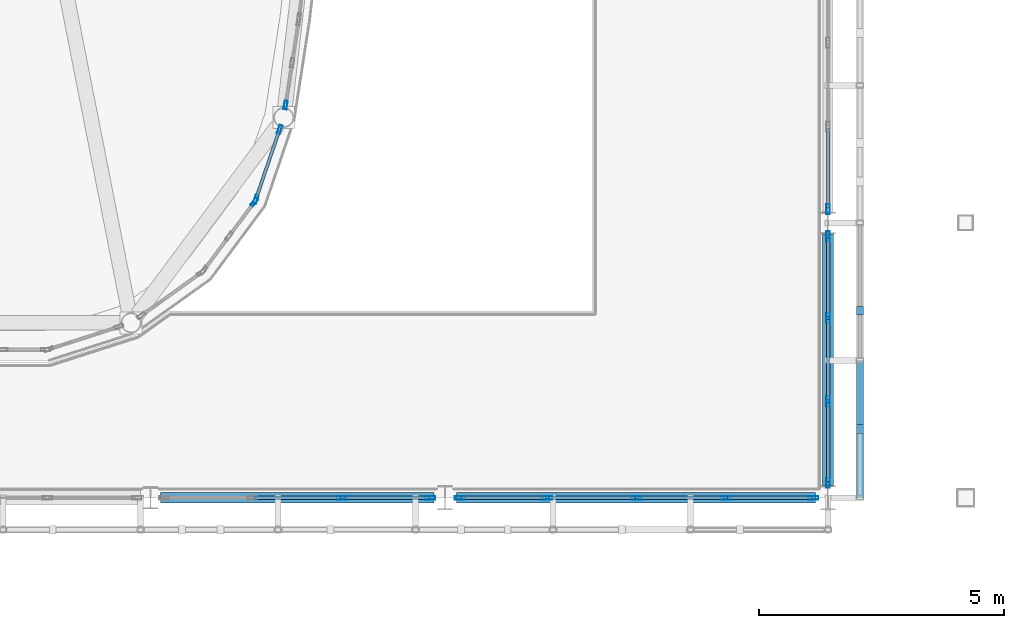
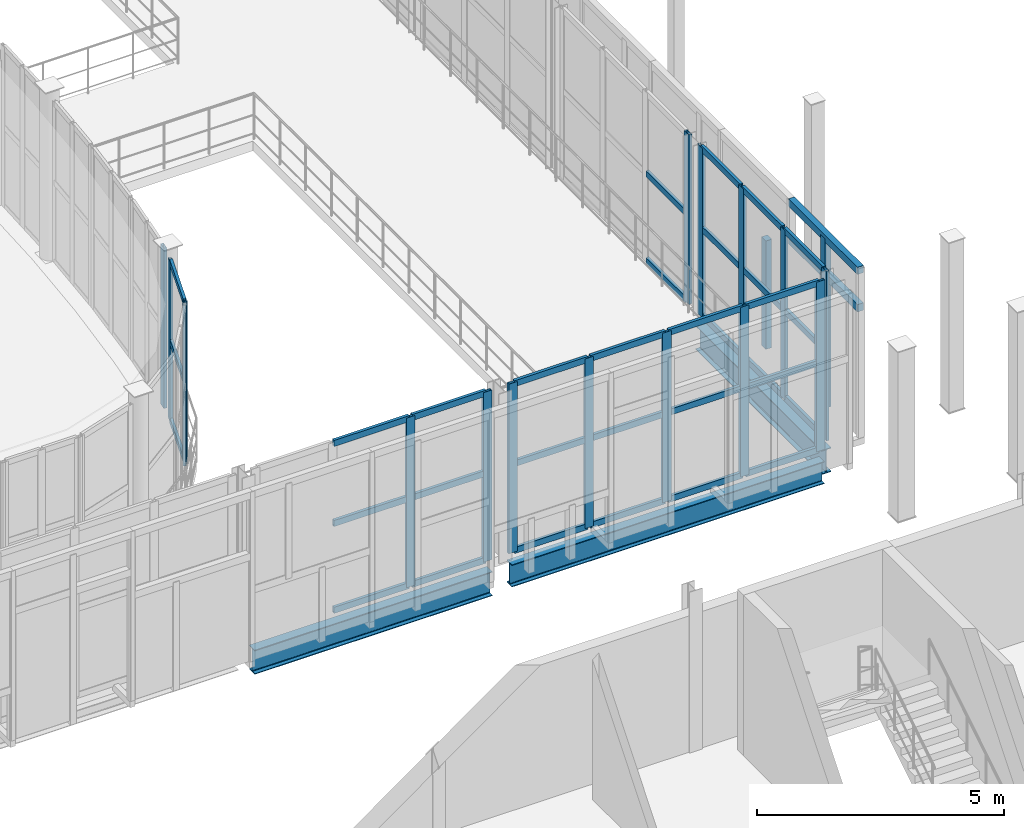
# One storey, part 35 of 121: 52 members, 3 beams, 7 elements without a shape of their own.
"""IFC4 building model written with IfcOpenShell, lengths in metres."""

from ifc_helpers import new_model, si_unit, direction, frame, origin, origin_2d, place, context, subcontext, project, spatial, rectangle, hollow_rectangle, i_section, extrude, material, layer, layer_set, material_profile, profile_set, type_object, element, aggregate, save


model = new_model("IFC4")

# Units and contexts
model_context = context("Model", 3, precision=1e-05, world=origin(), true_north=direction((0.0, 1.0)))
body_context = subcontext(model_context, "Body", "Model", "MODEL_VIEW")
ifc_project = project(units=[si_unit("LENGTHUNIT", "METRE"), si_unit("AREAUNIT", "SQUARE_METRE"), si_unit("VOLUMEUNIT", "CUBIC_METRE"), si_unit("PLANEANGLEUNIT", "RADIAN"), si_unit("MASSUNIT", "GRAM", prefix="KILO")], contexts=[model_context])

# Site, building, storey
site_placement = place(None, origin())
site = spatial("IfcSite", under=ifc_project, at=site_placement, CompositionType="ELEMENT")
building_placement = place(site_placement, origin())
building = spatial("IfcBuilding", under=site, at=building_placement, Name="Vinh Khe Railworks Police Headquarters", CompositionType="ELEMENT")
storey_placement = place(building_placement, frame((0.0, 0.0, 4.800048828125)))
storey = spatial("IfcBuildingStorey", under=building, at=storey_placement, Name="L01", CompositionType="ELEMENT", Elevation=4.800048828125)

# Members
ifc_material_1 = material(Name="Salvaged ironwood timber", Category="wood")
ifc_material_profile_1 = material_profile(ifc_material_1, rectangle(XDim=0.139892578125, YDim=0.179931640625, at=origin_2d()), Name="TIMBER 140x180")
ifc_profile_set_1 = profile_set([ifc_material_profile_1], Name="Salvaged ironwood timber")
member_type_1 = type_object("IfcMemberType", Name="MEM-QUILT-STILE", PredefinedType="CHORD", material=ifc_profile_set_1)
for number, where, z_axis, x_axis, name in (
    (1, (60.64990234375, 25.199951171875, 4.119873046875), (0.0, 1.0, 0.0), (-1.0, 0.0, 0.0), "Salvaged Timber Quilt Transom E-L01-00-TOP"),
    (2, (60.64990234375, 25.199951171875, 3.19189453125), (0.0, 1.0, 0.0), (-1.0, 0.0, 0.0), "Salvaged Timber Quilt Transom E-L01-00-M1"),
):
    element("IfcMember", number, at=place(storey_placement, frame(where, z_axis=z_axis, x_axis=x_axis)), inside=storey, type_object=member_type_1, Name=name, PredefinedType="CHORD", context=body_context, shape_type="SweptSolid", body=[
        extrude(rectangle(XDim=0.139892578125, YDim=0.179931640625, at=origin_2d()), origin(), (0.0, 0.0, 1.0), 2.800048828125),
    ])
member_1_placement = place(storey_placement, frame((60.64990234375, 26.60009765625, -0.080078125), z_axis=(0.0, 0.0, 1.0), x_axis=(1.0, 0.0, 0.0)))
element("IfcMember", 3, at=member_1_placement, inside=storey, type_object=member_type_1, Name="Salvaged Timber Quilt Stile E-L01-00-V1", PredefinedType="POST", context=body_context, shape_type="SweptSolid", body=[
    extrude(rectangle(XDim=0.139892578125, YDim=0.179931640625, at=origin_2d()), origin(), (0.0, 0.0, 1.0), 4.199951171875),
])
member_2_placement = place(storey_placement, frame((60.64990234375, 29.008056640625, -0.080078125), z_axis=(0.0, 0.0, 1.0), x_axis=(1.0, 0.0, 0.0)))
element("IfcMember", 4, at=member_2_placement, inside=storey, type_object=member_type_1, Name="Salvaged Timber Quilt Stile E-L01-01-V1", PredefinedType="POST", context=body_context, shape_type="SweptSolid", body=[
    extrude(rectangle(XDim=0.139892578125, YDim=0.179931640625, at=origin_2d()), origin(), (0.0, 0.0, 1.0), 2.68408203125),
])

# Curtain wall, member
ifc_material_2 = material(Name="Anodised aluminium and acoustic laminated glass", Category="aluminium")
ifc_layer_1 = layer(ifc_material_2, 0.159912109375)
ifc_layer_set_1 = layer_set([ifc_layer_1], Name="Anodised aluminium and acoustic laminated glass")
curtain_wall_type_1 = type_object("IfcCurtainWallType", Name="CW-DRUM-CHORD", PredefinedType="USERDEFINED", material=ifc_layer_set_1)
curtain_wall_1_placement = place(storey_placement, origin())
curtain_wall_1 = element("IfcCurtainWall", 5, at=curtain_wall_1_placement, inside=storey, type_object=curtain_wall_type_1, Name="Elliptical Command Drum Glazing L01 Chord 1", ObjectType="DRUM FACADE GLAZING", PredefinedType="USERDEFINED")
ifc_material_3 = material(Name="Anodised aluminium 6063-T6", Category="aluminium")
ifc_material_profile_2 = material_profile(ifc_material_3, hollow_rectangle(XDim=0.06494140625, YDim=0.179931640625, WallThickness=0.0048828125, at=origin_2d()), Name="CW-M 65x180x5")
ifc_profile_set_2 = profile_set([ifc_material_profile_2], Name="Anodised aluminium 6063-T6")
member_type_2 = type_object("IfcMemberType", Name="MULL-CWM-02", PredefinedType="MULLION", material=ifc_profile_set_2)
member_3_placement = place(storey_placement, frame((48.952392578125, 33.19677734375, 0.0), z_axis=(0.0, 0.0, 1.0), x_axis=(-0.988150267331, 0.153489573502, 0.0)))
member_3 = element("IfcMember", 6, at=member_3_placement, type_object=member_type_2, Name="CW-02 mullion 1", PredefinedType="MULLION", context=body_context, shape_type="SweptSolid", body=[
    extrude(hollow_rectangle(XDim=0.06494140625, YDim=0.179931640625, WallThickness=0.0048828125, at=origin_2d()), origin(), (0.0, 0.0, 1.0), 3.969970703125),
])
aggregate(curtain_wall_1, [member_3])

curtain_wall_2_placement = place(storey_placement, origin())
curtain_wall_2 = element("IfcCurtainWall", 7, at=curtain_wall_2_placement, inside=storey, type_object=curtain_wall_type_1, Name="Elliptical Command Drum Glazing L01 Chord 35", ObjectType="DRUM FACADE GLAZING", PredefinedType="USERDEFINED")
member_4_placement = place(storey_placement, frame((48.314697265625, 31.22021484375, 0.0), z_axis=(0.0, 0.0, 1.0), x_axis=(-0.802591949394, 0.596528425784, 0.0)))
member_4 = element("IfcMember", 8, at=member_4_placement, type_object=member_type_2, Name="CW-02 mullion 3", PredefinedType="MULLION", context=body_context, shape_type="SweptSolid", body=[
    extrude(hollow_rectangle(XDim=0.06494140625, YDim=0.179931640625, WallThickness=0.0048828125, at=origin_2d()), origin(), (0.0, 0.0, 1.0), 3.969970703125),
])
aggregate(curtain_wall_2, [member_4])

# Curtain wall, members
curtain_wall_3_placement = place(storey_placement, origin())
curtain_wall_3 = element("IfcCurtainWall", 9, at=curtain_wall_3_placement, inside=storey, type_object=curtain_wall_type_1, Name="Elliptical Command Drum Glazing L01 Chord 36", ObjectType="DRUM FACADE GLAZING", PredefinedType="USERDEFINED")
member_5_placement = place(storey_placement, frame((48.344482421875, 31.27685546875, 0.0), z_axis=(0.0, 0.0, 1.0), x_axis=(-0.946484112141, 0.322750407381, 0.0)))
member_5 = element("IfcMember", 10, at=member_5_placement, type_object=member_type_2, Name="CW-02 mullion 1", PredefinedType="MULLION", context=body_context, shape_type="SweptSolid", body=[
    extrude(hollow_rectangle(XDim=0.06494140625, YDim=0.179931640625, WallThickness=0.0048828125, at=origin_2d()), origin(), (0.0, 0.0, 1.0), 3.969970703125),
])
member_6_placement = place(storey_placement, frame((48.83056640625, 32.7021484375, 0.0), z_axis=(0.0, 0.0, 1.0), x_axis=(-0.946484112141, 0.322750407381, 0.0)))
member_6 = element("IfcMember", 11, at=member_6_placement, type_object=member_type_2, Name="CW-02 mullion 2", PredefinedType="MULLION", context=body_context, shape_type="SweptSolid", body=[
    extrude(hollow_rectangle(XDim=0.06494140625, YDim=0.179931640625, WallThickness=0.0048828125, at=origin_2d()), origin(), (0.0, 0.0, 1.0), 3.969970703125),
])

ifc_material_4 = material(Name="Anodised aluminium and low-iron glass", Category="aluminium")
ifc_layer_2 = layer(ifc_material_4, 0.179931640625)
ifc_layer_set_2 = layer_set([ifc_layer_2], Name="Anodised aluminium and low-iron glass")
curtain_wall_type_2 = type_object("IfcCurtainWallType", Name="CW-CUBE-UNIT", PredefinedType="USERDEFINED", material=ifc_layer_set_2)
curtain_wall_4_placement = place(storey_placement, origin())
curtain_wall_4 = element("IfcCurtainWall", 12, at=curtain_wall_4_placement, inside=storey, type_object=curtain_wall_type_2, Name="Entrance Hall Curtain Wall L01 S-4", ObjectType="UNITISED GLAZING", PredefinedType="USERDEFINED")
ifc_material_profile_3 = material_profile(ifc_material_3, hollow_rectangle(XDim=0.070068359375, YDim=0.199951171875, WallThickness=0.0048828125, at=origin_2d()), Name="CW-M 70x200x5")
ifc_profile_set_3 = profile_set([ifc_material_profile_3], Name="Anodised aluminium 6063-T6")
member_type_3 = type_object("IfcMemberType", Name="MULL-CWM-03", PredefinedType="MULLION", material=ifc_profile_set_3)
member_7_placement = place(storey_placement, frame((50.103271484375, 25.199951171875, 0.0), z_axis=(0.0, 0.0, 1.0), x_axis=(0.0, 1.0, 0.0)))
member_7 = element("IfcMember", 13, at=member_7_placement, type_object=member_type_3, Name="CW-01 mullion 3", PredefinedType="MULLION", context=body_context, shape_type="SweptSolid", body=[
    extrude(hollow_rectangle(XDim=0.070068359375, YDim=0.199951171875, WallThickness=0.0048828125, at=origin_2d()), origin(), (0.0, 0.0, 1.0), 4.199951171875),
])
member_8_placement = place(storey_placement, frame((51.89990234375, 25.199951171875, 0.0), z_axis=(0.0, 0.0, 1.0), x_axis=(0.0, 1.0, 0.0)))
member_8 = element("IfcMember", 14, at=member_8_placement, type_object=member_type_3, Name="CW-01 mullion 4", PredefinedType="MULLION", context=body_context, shape_type="SweptSolid", body=[
    extrude(hollow_rectangle(XDim=0.070068359375, YDim=0.199951171875, WallThickness=0.0048828125, at=origin_2d()), origin(), (0.0, 0.0, 1.0), 4.199951171875),
])

curtain_wall_5_placement = place(storey_placement, origin())
curtain_wall_5 = element("IfcCurtainWall", 15, at=curtain_wall_5_placement, inside=storey, type_object=curtain_wall_type_2, Name="Entrance Hall Curtain Wall L01 S-5", ObjectType="UNITISED GLAZING", PredefinedType="USERDEFINED")
member_9_placement = place(storey_placement, frame((52.5, 25.199951171875, 0.0), z_axis=(0.0, 0.0, 1.0), x_axis=(0.0, 1.0, 0.0)))
member_9 = element("IfcMember", 16, at=member_9_placement, type_object=member_type_3, Name="CW-01 mullion 1", PredefinedType="MULLION", context=body_context, shape_type="SweptSolid", body=[
    extrude(hollow_rectangle(XDim=0.070068359375, YDim=0.199951171875, WallThickness=0.0048828125, at=origin_2d()), origin(), (0.0, 0.0, 1.0), 4.199951171875),
])
member_10_placement = place(storey_placement, frame((54.282470703125, 25.199951171875, 0.0), z_axis=(0.0, 0.0, 1.0), x_axis=(0.0, 1.0, 0.0)))
member_10 = element("IfcMember", 17, at=member_10_placement, type_object=member_type_3, Name="CW-01 mullion 2", PredefinedType="MULLION", context=body_context, shape_type="SweptSolid", body=[
    extrude(hollow_rectangle(XDim=0.070068359375, YDim=0.199951171875, WallThickness=0.0048828125, at=origin_2d()), origin(), (0.0, 0.0, 1.0), 4.199951171875),
])
member_11_placement = place(storey_placement, frame((56.10009765625, 25.199951171875, 0.0), z_axis=(0.0, 0.0, 1.0), x_axis=(0.0, 1.0, 0.0)))
member_11 = element("IfcMember", 18, at=member_11_placement, type_object=member_type_3, Name="CW-01 mullion 3", PredefinedType="MULLION", context=body_context, shape_type="SweptSolid", body=[
    extrude(hollow_rectangle(XDim=0.070068359375, YDim=0.199951171875, WallThickness=0.0048828125, at=origin_2d()), origin(), (0.0, 0.0, 1.0), 4.199951171875),
])
member_12_placement = place(storey_placement, frame((57.91748046875, 25.199951171875, 0.0), z_axis=(0.0, 0.0, 1.0), x_axis=(0.0, 1.0, 0.0)))
member_12 = element("IfcMember", 19, at=member_12_placement, type_object=member_type_3, Name="CW-01 mullion 4", PredefinedType="MULLION", context=body_context, shape_type="SweptSolid", body=[
    extrude(hollow_rectangle(XDim=0.070068359375, YDim=0.199951171875, WallThickness=0.0048828125, at=origin_2d()), origin(), (0.0, 0.0, 1.0), 4.199951171875),
])
member_13_placement = place(storey_placement, frame((59.699951171875, 25.199951171875, 0.0), z_axis=(0.0, 0.0, 1.0), x_axis=(0.0, 1.0, 0.0)))
member_13 = element("IfcMember", 20, at=member_13_placement, type_object=member_type_3, Name="CW-01 mullion 5", PredefinedType="MULLION", context=body_context, shape_type="SweptSolid", body=[
    extrude(hollow_rectangle(XDim=0.070068359375, YDim=0.199951171875, WallThickness=0.0048828125, at=origin_2d()), origin(), (0.0, 0.0, 1.0), 4.199951171875),
])

curtain_wall_6_placement = place(storey_placement, origin())
curtain_wall_6 = element("IfcCurtainWall", 21, at=curtain_wall_6_placement, inside=storey, type_object=curtain_wall_type_2, Name="Entrance Hall Curtain Wall L01 E-1", ObjectType="UNITISED GLAZING", PredefinedType="USERDEFINED")
member_14_placement = place(storey_placement, frame((60.0, 25.5, 0.0), z_axis=(0.0, 0.0, 1.0), x_axis=(-1.0, 0.0, 0.0)))
member_14 = element("IfcMember", 22, at=member_14_placement, type_object=member_type_3, Name="CW-01 mullion 1", PredefinedType="MULLION", context=body_context, shape_type="SweptSolid", body=[
    extrude(hollow_rectangle(XDim=0.070068359375, YDim=0.199951171875, WallThickness=0.0048828125, at=origin_2d()), origin(), (0.0, 0.0, 1.0), 4.199951171875),
])
member_15_placement = place(storey_placement, frame((60.0, 27.163330078125, 0.0), z_axis=(0.0, 0.0, 1.0), x_axis=(-1.0, 0.0, 0.0)))
member_15 = element("IfcMember", 23, at=member_15_placement, type_object=member_type_3, Name="CW-01 mullion 2", PredefinedType="MULLION", context=body_context, shape_type="SweptSolid", body=[
    extrude(hollow_rectangle(XDim=0.070068359375, YDim=0.199951171875, WallThickness=0.0048828125, at=origin_2d()), origin(), (0.0, 0.0, 1.0), 4.199951171875),
])
member_16_placement = place(storey_placement, frame((60.0, 28.861572265625, 0.0), z_axis=(0.0, 0.0, 1.0), x_axis=(-1.0, 0.0, 0.0)))
member_16 = element("IfcMember", 24, at=member_16_placement, type_object=member_type_3, Name="CW-01 mullion 3", PredefinedType="MULLION", context=body_context, shape_type="SweptSolid", body=[
    extrude(hollow_rectangle(XDim=0.070068359375, YDim=0.199951171875, WallThickness=0.0048828125, at=origin_2d()), origin(), (0.0, 0.0, 1.0), 4.199951171875),
])
member_17_placement = place(storey_placement, frame((60.0, 30.52490234375, 0.0), z_axis=(0.0, 0.0, 1.0), x_axis=(-1.0, 0.0, 0.0)))
member_17 = element("IfcMember", 25, at=member_17_placement, type_object=member_type_3, Name="CW-01 mullion 4", PredefinedType="MULLION", context=body_context, shape_type="SweptSolid", body=[
    extrude(hollow_rectangle(XDim=0.070068359375, YDim=0.199951171875, WallThickness=0.0048828125, at=origin_2d()), origin(), (0.0, 0.0, 1.0), 4.199951171875),
])

# Curtain wall, member
curtain_wall_7_placement = place(storey_placement, origin())
curtain_wall_7 = element("IfcCurtainWall", 26, at=curtain_wall_7_placement, inside=storey, type_object=curtain_wall_type_2, Name="Entrance Hall Curtain Wall L01 E-2", ObjectType="UNITISED GLAZING", PredefinedType="USERDEFINED")
member_18_placement = place(storey_placement, frame((60.0, 31.074951171875, 0.0), z_axis=(0.0, 0.0, 1.0), x_axis=(-1.0, 0.0, 0.0)))
member_18 = element("IfcMember", 27, at=member_18_placement, type_object=member_type_3, Name="CW-01 mullion 1", PredefinedType="MULLION", context=body_context, shape_type="SweptSolid", body=[
    extrude(hollow_rectangle(XDim=0.070068359375, YDim=0.199951171875, WallThickness=0.0048828125, at=origin_2d()), origin(), (0.0, 0.0, 1.0), 4.199951171875),
])

# Beams
ifc_material_5 = material(Name="Steel S355JR", Category="steel")
ifc_material_profile_4 = material_profile(ifc_material_5, i_section(OverallWidth=0.2099609375, OverallDepth=0.550048828125, WebThickness=0.010986328125, FlangeThickness=0.01708984375, FilletRadius=0.02392578125, at=origin_2d()), Name="IPE 550")
ifc_profile_set_4 = profile_set([ifc_material_profile_4], Name="Steel S355JR")
beam_type_1 = type_object("IfcBeamType", Name="Steel Girder IPE 550", PredefinedType="BEAM", material=ifc_profile_set_4)
beam_1_placement = place(storey_placement, frame((52.429931640625, 25.199951171875, -0.51513671875), z_axis=(1.0, 0.0, 0.0), x_axis=(0.0, 1.0, 0.0)))
element("IfcBeam", 28, at=beam_1_placement, inside=storey, type_object=beam_type_1, Name="Girder BM-L01-EW-SB-18-0442", PredefinedType="BEAM", context=body_context, shape_type="SweptSolid", body=[
    extrude(i_section(OverallWidth=0.2099609375, OverallDepth=0.550048828125, WebThickness=0.010986328125, FlangeThickness=0.01708984375, FilletRadius=0.02392578125, at=origin_2d()), origin(), (0.0, 0.0, 1.0), 7.315185546875),
])
ifc_material_profile_5 = material_profile(ifc_material_5, i_section(OverallWidth=0.219970703125, OverallDepth=0.60009765625, WebThickness=0.011962890625, FlangeThickness=0.01904296875, FilletRadius=0.02392578125, at=origin_2d()), Name="IPE 600")
ifc_profile_set_5 = profile_set([ifc_material_profile_5], Name="Steel S355JR")
beam_type_2 = type_object("IfcBeamType", Name="Steel Girder IPE 600", PredefinedType="BEAM", material=ifc_profile_set_5)
beam_2_placement = place(storey_placement, frame((46.405029296875, 25.199951171875, -0.5400390625), z_axis=(1.0, 0.0, 0.0), x_axis=(0.0, 1.0, 0.0)))
element("IfcBeam", 29, at=beam_2_placement, inside=storey, type_object=beam_type_2, Name="Girder BM-L01-EW-SB-17-0441", PredefinedType="BEAM", context=body_context, shape_type="SweptSolid", body=[
    extrude(i_section(OverallWidth=0.219970703125, OverallDepth=0.60009765625, WebThickness=0.011962890625, FlangeThickness=0.01904296875, FilletRadius=0.02392578125, at=origin_2d()), origin(), (0.0, 0.0, 1.0), 5.56494140625),
])
beam_3_placement = place(storey_placement, frame((60.0, 25.455078125, -0.5400390625), z_axis=(0.0, 1.0, 0.0), x_axis=(-1.0, 0.0, 0.0)))
element("IfcBeam", 30, at=beam_3_placement, inside=storey, type_object=beam_type_2, Name="Girder BM-L01-NS-SB-17-0657", PredefinedType="BEAM", context=body_context, shape_type="SweptSolid", body=[
    extrude(i_section(OverallWidth=0.219970703125, OverallDepth=0.60009765625, WebThickness=0.011962890625, FlangeThickness=0.01904296875, FilletRadius=0.02392578125, at=origin_2d()), origin(), (0.0, 0.0, 1.0), 5.114990234375),
])

# Member
ifc_material_profile_6 = material_profile(ifc_material_3, hollow_rectangle(XDim=0.06494140625, YDim=0.139892578125, WallThickness=0.00390625, at=origin_2d()), Name="CW-T 65x140x4")
ifc_profile_set_6 = profile_set([ifc_material_profile_6], Name="Anodised aluminium 6063-T6")
member_type_4 = type_object("IfcMemberType", Name="TRAN-CWT-02", PredefinedType="USERDEFINED", material=ifc_profile_set_6)
member_19_placement = place(storey_placement, frame((48.35498046875, 31.3076171875, 0.032470703125), z_axis=(0.322777422757, 0.946474899487, 0.0), x_axis=(-0.946474899487, 0.322777422757, 0.0)))
member_19 = element("IfcMember", 31, at=member_19_placement, type_object=member_type_4, Name="CW-02 transom 1.1", ObjectType="TRANSOM", PredefinedType="USERDEFINED", context=body_context, shape_type="SweptSolid", body=[
    extrude(hollow_rectangle(XDim=0.06494140625, YDim=0.139892578125, WallThickness=0.00390625, at=origin_2d()), origin(), (0.0, 0.0, 1.0), 1.44091796875),
])

member_20_placement = place(storey_placement, frame((48.35498046875, 31.3076171875, 1.98486328125), z_axis=(0.322777422757, 0.946474899487, 0.0), x_axis=(-0.946474899487, 0.322777422757, 0.0)))
member_20 = element("IfcMember", 32, at=member_20_placement, type_object=member_type_4, Name="CW-02 transom 1.2", ObjectType="TRANSOM", PredefinedType="USERDEFINED", context=body_context, shape_type="SweptSolid", body=[
    extrude(hollow_rectangle(XDim=0.06494140625, YDim=0.139892578125, WallThickness=0.00390625, at=origin_2d()), origin(), (0.0, 0.0, 1.0), 1.44091796875),
])

member_21_placement = place(storey_placement, frame((48.35498046875, 31.3076171875, 3.9375), z_axis=(0.322777422757, 0.946474899487, 0.0), x_axis=(-0.946474899487, 0.322777422757, 0.0)))
member_21 = element("IfcMember", 33, at=member_21_placement, type_object=member_type_4, Name="CW-02 transom 1.3", ObjectType="TRANSOM", PredefinedType="USERDEFINED", context=body_context, shape_type="SweptSolid", body=[
    extrude(hollow_rectangle(XDim=0.06494140625, YDim=0.139892578125, WallThickness=0.00390625, at=origin_2d()), origin(), (0.0, 0.0, 1.0), 1.44091796875),
])

aggregate(curtain_wall_3, [member_5, member_6, member_19, member_20, member_21])

ifc_material_profile_7 = material_profile(ifc_material_3, hollow_rectangle(XDim=0.070068359375, YDim=0.14990234375, WallThickness=0.0048828125, at=origin_2d()), Name="CW-T 70x150x5")
ifc_profile_set_7 = profile_set([ifc_material_profile_7], Name="Anodised aluminium 6063-T6")
member_type_5 = type_object("IfcMemberType", Name="TRAN-CWT-03", PredefinedType="USERDEFINED", material=ifc_profile_set_7)
member_22_placement = place(storey_placement, frame((48.306640625, 25.199951171875, 0.034912109375), z_axis=(1.0, 0.0, 0.0), x_axis=(0.0, 1.0, 0.0)))
member_22 = element("IfcMember", 34, at=member_22_placement, type_object=member_type_5, Name="CW-01 transom 2.1", ObjectType="TRANSOM", PredefinedType="USERDEFINED", context=body_context, shape_type="SweptSolid", body=[
    extrude(hollow_rectangle(XDim=0.070068359375, YDim=0.14990234375, WallThickness=0.0048828125, at=origin_2d()), origin(), (0.0, 0.0, 1.0), 1.76171875),
])

member_23_placement = place(storey_placement, frame((48.306640625, 25.199951171875, 2.183837890625), z_axis=(1.0, 0.0, 0.0), x_axis=(0.0, 1.0, 0.0)))
member_23 = element("IfcMember", 35, at=member_23_placement, type_object=member_type_5, Name="CW-01 transom 2.2", ObjectType="TRANSOM", PredefinedType="USERDEFINED", context=body_context, shape_type="SweptSolid", body=[
    extrude(hollow_rectangle(XDim=0.070068359375, YDim=0.14990234375, WallThickness=0.0048828125, at=origin_2d()), origin(), (0.0, 0.0, 1.0), 1.76171875),
])

member_24_placement = place(storey_placement, frame((48.306640625, 25.199951171875, 4.1650390625), z_axis=(1.0, 0.0, 0.0), x_axis=(0.0, 1.0, 0.0)))
member_24 = element("IfcMember", 36, at=member_24_placement, type_object=member_type_5, Name="CW-01 transom 2.3", ObjectType="TRANSOM", PredefinedType="USERDEFINED", context=body_context, shape_type="SweptSolid", body=[
    extrude(hollow_rectangle(XDim=0.070068359375, YDim=0.14990234375, WallThickness=0.0048828125, at=origin_2d()), origin(), (0.0, 0.0, 1.0), 1.76171875),
])

member_25_placement = place(storey_placement, frame((50.138427734375, 25.199951171875, 0.034912109375), z_axis=(1.0, 0.0, 0.0), x_axis=(0.0, 1.0, 0.0)))
member_25 = element("IfcMember", 37, at=member_25_placement, type_object=member_type_5, Name="CW-01 transom 3.1", ObjectType="TRANSOM", PredefinedType="USERDEFINED", context=body_context, shape_type="SweptSolid", body=[
    extrude(hollow_rectangle(XDim=0.070068359375, YDim=0.14990234375, WallThickness=0.0048828125, at=origin_2d()), origin(), (0.0, 0.0, 1.0), 1.7265625),
])

member_26_placement = place(storey_placement, frame((50.138427734375, 25.199951171875, 2.183837890625), z_axis=(1.0, 0.0, 0.0), x_axis=(0.0, 1.0, 0.0)))
member_26 = element("IfcMember", 38, at=member_26_placement, type_object=member_type_5, Name="CW-01 transom 3.2", ObjectType="TRANSOM", PredefinedType="USERDEFINED", context=body_context, shape_type="SweptSolid", body=[
    extrude(hollow_rectangle(XDim=0.070068359375, YDim=0.14990234375, WallThickness=0.0048828125, at=origin_2d()), origin(), (0.0, 0.0, 1.0), 1.7265625),
])

member_27_placement = place(storey_placement, frame((50.138427734375, 25.199951171875, 4.1650390625), z_axis=(1.0, 0.0, 0.0), x_axis=(0.0, 1.0, 0.0)))
member_27 = element("IfcMember", 39, at=member_27_placement, type_object=member_type_5, Name="CW-01 transom 3.3", ObjectType="TRANSOM", PredefinedType="USERDEFINED", context=body_context, shape_type="SweptSolid", body=[
    extrude(hollow_rectangle(XDim=0.070068359375, YDim=0.14990234375, WallThickness=0.0048828125, at=origin_2d()), origin(), (0.0, 0.0, 1.0), 1.7265625),
])

aggregate(curtain_wall_4, [member_7, member_8, member_22, member_23, member_24, member_25, member_26, member_27])

member_28_placement = place(storey_placement, frame((52.534912109375, 25.199951171875, 0.034912109375), z_axis=(1.0, 0.0, 0.0), x_axis=(0.0, 1.0, 0.0)))
member_28 = element("IfcMember", 40, at=member_28_placement, type_object=member_type_5, Name="CW-01 transom 1.1", ObjectType="TRANSOM", PredefinedType="USERDEFINED", context=body_context, shape_type="SweptSolid", body=[
    extrude(hollow_rectangle(XDim=0.070068359375, YDim=0.14990234375, WallThickness=0.0048828125, at=origin_2d()), origin(), (0.0, 0.0, 1.0), 1.712646484375),
])

member_29_placement = place(storey_placement, frame((52.534912109375, 25.199951171875, 2.183837890625), z_axis=(1.0, 0.0, 0.0), x_axis=(0.0, 1.0, 0.0)))
member_29 = element("IfcMember", 41, at=member_29_placement, type_object=member_type_5, Name="CW-01 transom 1.2", ObjectType="TRANSOM", PredefinedType="USERDEFINED", context=body_context, shape_type="SweptSolid", body=[
    extrude(hollow_rectangle(XDim=0.070068359375, YDim=0.14990234375, WallThickness=0.0048828125, at=origin_2d()), origin(), (0.0, 0.0, 1.0), 1.712646484375),
])

member_30_placement = place(storey_placement, frame((52.534912109375, 25.199951171875, 4.1650390625), z_axis=(1.0, 0.0, 0.0), x_axis=(0.0, 1.0, 0.0)))
member_30 = element("IfcMember", 42, at=member_30_placement, type_object=member_type_5, Name="CW-01 transom 1.3", ObjectType="TRANSOM", PredefinedType="USERDEFINED", context=body_context, shape_type="SweptSolid", body=[
    extrude(hollow_rectangle(XDim=0.070068359375, YDim=0.14990234375, WallThickness=0.0048828125, at=origin_2d()), origin(), (0.0, 0.0, 1.0), 1.712646484375),
])

member_31_placement = place(storey_placement, frame((54.3173828125, 25.199951171875, 0.034912109375), z_axis=(1.0, 0.0, 0.0), x_axis=(0.0, 1.0, 0.0)))
member_31 = element("IfcMember", 43, at=member_31_placement, type_object=member_type_5, Name="CW-01 transom 2.1", ObjectType="TRANSOM", PredefinedType="USERDEFINED", context=body_context, shape_type="SweptSolid", body=[
    extrude(hollow_rectangle(XDim=0.070068359375, YDim=0.14990234375, WallThickness=0.0048828125, at=origin_2d()), origin(), (0.0, 0.0, 1.0), 1.74755859375),
])

member_32_placement = place(storey_placement, frame((54.3173828125, 25.199951171875, 2.183837890625), z_axis=(1.0, 0.0, 0.0), x_axis=(0.0, 1.0, 0.0)))
member_32 = element("IfcMember", 44, at=member_32_placement, type_object=member_type_5, Name="CW-01 transom 2.2", ObjectType="TRANSOM", PredefinedType="USERDEFINED", context=body_context, shape_type="SweptSolid", body=[
    extrude(hollow_rectangle(XDim=0.070068359375, YDim=0.14990234375, WallThickness=0.0048828125, at=origin_2d()), origin(), (0.0, 0.0, 1.0), 1.74755859375),
])

member_33_placement = place(storey_placement, frame((54.3173828125, 25.199951171875, 4.1650390625), z_axis=(1.0, 0.0, 0.0), x_axis=(0.0, 1.0, 0.0)))
member_33 = element("IfcMember", 45, at=member_33_placement, type_object=member_type_5, Name="CW-01 transom 2.3", ObjectType="TRANSOM", PredefinedType="USERDEFINED", context=body_context, shape_type="SweptSolid", body=[
    extrude(hollow_rectangle(XDim=0.070068359375, YDim=0.14990234375, WallThickness=0.0048828125, at=origin_2d()), origin(), (0.0, 0.0, 1.0), 1.74755859375),
])

member_34_placement = place(storey_placement, frame((56.135009765625, 25.199951171875, 0.034912109375), z_axis=(1.0, 0.0, 0.0), x_axis=(0.0, 1.0, 0.0)))
member_34 = element("IfcMember", 46, at=member_34_placement, type_object=member_type_5, Name="CW-01 transom 3.1", ObjectType="TRANSOM", PredefinedType="USERDEFINED", context=body_context, shape_type="SweptSolid", body=[
    extrude(hollow_rectangle(XDim=0.070068359375, YDim=0.14990234375, WallThickness=0.0048828125, at=origin_2d()), origin(), (0.0, 0.0, 1.0), 1.74755859375),
])

member_35_placement = place(storey_placement, frame((56.135009765625, 25.199951171875, 2.183837890625), z_axis=(1.0, 0.0, 0.0), x_axis=(0.0, 1.0, 0.0)))
member_35 = element("IfcMember", 47, at=member_35_placement, type_object=member_type_5, Name="CW-01 transom 3.2", ObjectType="TRANSOM", PredefinedType="USERDEFINED", context=body_context, shape_type="SweptSolid", body=[
    extrude(hollow_rectangle(XDim=0.070068359375, YDim=0.14990234375, WallThickness=0.0048828125, at=origin_2d()), origin(), (0.0, 0.0, 1.0), 1.74755859375),
])

member_36_placement = place(storey_placement, frame((56.135009765625, 25.199951171875, 4.1650390625), z_axis=(1.0, 0.0, 0.0), x_axis=(0.0, 1.0, 0.0)))
member_36 = element("IfcMember", 48, at=member_36_placement, type_object=member_type_5, Name="CW-01 transom 3.3", ObjectType="TRANSOM", PredefinedType="USERDEFINED", context=body_context, shape_type="SweptSolid", body=[
    extrude(hollow_rectangle(XDim=0.070068359375, YDim=0.14990234375, WallThickness=0.0048828125, at=origin_2d()), origin(), (0.0, 0.0, 1.0), 1.74755859375),
])

member_37_placement = place(storey_placement, frame((57.952392578125, 25.199951171875, 0.034912109375), z_axis=(1.0, 0.0, 0.0), x_axis=(0.0, 1.0, 0.0)))
member_37 = element("IfcMember", 49, at=member_37_placement, type_object=member_type_5, Name="CW-01 transom 4.1", ObjectType="TRANSOM", PredefinedType="USERDEFINED", context=body_context, shape_type="SweptSolid", body=[
    extrude(hollow_rectangle(XDim=0.070068359375, YDim=0.14990234375, WallThickness=0.0048828125, at=origin_2d()), origin(), (0.0, 0.0, 1.0), 1.712646484375),
])

member_38_placement = place(storey_placement, frame((57.952392578125, 25.199951171875, 2.183837890625), z_axis=(1.0, 0.0, 0.0), x_axis=(0.0, 1.0, 0.0)))
member_38 = element("IfcMember", 50, at=member_38_placement, type_object=member_type_5, Name="CW-01 transom 4.2", ObjectType="TRANSOM", PredefinedType="USERDEFINED", context=body_context, shape_type="SweptSolid", body=[
    extrude(hollow_rectangle(XDim=0.070068359375, YDim=0.14990234375, WallThickness=0.0048828125, at=origin_2d()), origin(), (0.0, 0.0, 1.0), 1.712646484375),
])

member_39_placement = place(storey_placement, frame((57.952392578125, 25.199951171875, 4.1650390625), z_axis=(1.0, 0.0, 0.0), x_axis=(0.0, 1.0, 0.0)))
member_39 = element("IfcMember", 51, at=member_39_placement, type_object=member_type_5, Name="CW-01 transom 4.3", ObjectType="TRANSOM", PredefinedType="USERDEFINED", context=body_context, shape_type="SweptSolid", body=[
    extrude(hollow_rectangle(XDim=0.070068359375, YDim=0.14990234375, WallThickness=0.0048828125, at=origin_2d()), origin(), (0.0, 0.0, 1.0), 1.712646484375),
])

aggregate(curtain_wall_5, [member_9, member_10, member_11, member_12, member_13, member_28, member_29, member_30, member_31, member_32, member_33, member_34, member_35, member_36, member_37, member_38, member_39])

member_40_placement = place(storey_placement, frame((60.0, 25.534912109375, 0.034912109375), z_axis=(0.0, 1.0, 0.0), x_axis=(-1.0, 0.0, 0.0)))
member_40 = element("IfcMember", 52, at=member_40_placement, type_object=member_type_5, Name="CW-01 transom 1.1", ObjectType="TRANSOM", PredefinedType="USERDEFINED", context=body_context, shape_type="SweptSolid", body=[
    extrude(hollow_rectangle(XDim=0.070068359375, YDim=0.14990234375, WallThickness=0.0048828125, at=origin_2d()), origin(), (0.0, 0.0, 1.0), 1.593505859375),
])

member_41_placement = place(storey_placement, frame((60.0, 25.534912109375, 2.183837890625), z_axis=(0.0, 1.0, 0.0), x_axis=(-1.0, 0.0, 0.0)))
member_41 = element("IfcMember", 53, at=member_41_placement, type_object=member_type_5, Name="CW-01 transom 1.2", ObjectType="TRANSOM", PredefinedType="USERDEFINED", context=body_context, shape_type="SweptSolid", body=[
    extrude(hollow_rectangle(XDim=0.070068359375, YDim=0.14990234375, WallThickness=0.0048828125, at=origin_2d()), origin(), (0.0, 0.0, 1.0), 1.593505859375),
])

member_42_placement = place(storey_placement, frame((60.0, 25.534912109375, 4.1650390625), z_axis=(0.0, 1.0, 0.0), x_axis=(-1.0, 0.0, 0.0)))
member_42 = element("IfcMember", 54, at=member_42_placement, type_object=member_type_5, Name="CW-01 transom 1.3", ObjectType="TRANSOM", PredefinedType="USERDEFINED", context=body_context, shape_type="SweptSolid", body=[
    extrude(hollow_rectangle(XDim=0.070068359375, YDim=0.14990234375, WallThickness=0.0048828125, at=origin_2d()), origin(), (0.0, 0.0, 1.0), 1.593505859375),
])

member_43_placement = place(storey_placement, frame((60.0, 27.1982421875, 0.034912109375), z_axis=(0.0, 1.0, 0.0), x_axis=(-1.0, 0.0, 0.0)))
member_43 = element("IfcMember", 55, at=member_43_placement, type_object=member_type_5, Name="CW-01 transom 2.1", ObjectType="TRANSOM", PredefinedType="USERDEFINED", context=body_context, shape_type="SweptSolid", body=[
    extrude(hollow_rectangle(XDim=0.070068359375, YDim=0.14990234375, WallThickness=0.0048828125, at=origin_2d()), origin(), (0.0, 0.0, 1.0), 1.62841796875),
])

member_44_placement = place(storey_placement, frame((60.0, 27.1982421875, 2.183837890625), z_axis=(0.0, 1.0, 0.0), x_axis=(-1.0, 0.0, 0.0)))
member_44 = element("IfcMember", 56, at=member_44_placement, type_object=member_type_5, Name="CW-01 transom 2.2", ObjectType="TRANSOM", PredefinedType="USERDEFINED", context=body_context, shape_type="SweptSolid", body=[
    extrude(hollow_rectangle(XDim=0.070068359375, YDim=0.14990234375, WallThickness=0.0048828125, at=origin_2d()), origin(), (0.0, 0.0, 1.0), 1.62841796875),
])

member_45_placement = place(storey_placement, frame((60.0, 27.1982421875, 4.1650390625), z_axis=(0.0, 1.0, 0.0), x_axis=(-1.0, 0.0, 0.0)))
member_45 = element("IfcMember", 57, at=member_45_placement, type_object=member_type_5, Name="CW-01 transom 2.3", ObjectType="TRANSOM", PredefinedType="USERDEFINED", context=body_context, shape_type="SweptSolid", body=[
    extrude(hollow_rectangle(XDim=0.070068359375, YDim=0.14990234375, WallThickness=0.0048828125, at=origin_2d()), origin(), (0.0, 0.0, 1.0), 1.62841796875),
])

member_46_placement = place(storey_placement, frame((60.0, 28.896728515625, 0.034912109375), z_axis=(0.0, 1.0, 0.0), x_axis=(-1.0, 0.0, 0.0)))
member_46 = element("IfcMember", 58, at=member_46_placement, type_object=member_type_5, Name="CW-01 transom 3.1", ObjectType="TRANSOM", PredefinedType="USERDEFINED", context=body_context, shape_type="SweptSolid", body=[
    extrude(hollow_rectangle(XDim=0.070068359375, YDim=0.14990234375, WallThickness=0.0048828125, at=origin_2d()), origin(), (0.0, 0.0, 1.0), 1.59326171875),
])

member_47_placement = place(storey_placement, frame((60.0, 28.896728515625, 2.183837890625), z_axis=(0.0, 1.0, 0.0), x_axis=(-1.0, 0.0, 0.0)))
member_47 = element("IfcMember", 59, at=member_47_placement, type_object=member_type_5, Name="CW-01 transom 3.2", ObjectType="TRANSOM", PredefinedType="USERDEFINED", context=body_context, shape_type="SweptSolid", body=[
    extrude(hollow_rectangle(XDim=0.070068359375, YDim=0.14990234375, WallThickness=0.0048828125, at=origin_2d()), origin(), (0.0, 0.0, 1.0), 1.59326171875),
])

member_48_placement = place(storey_placement, frame((60.0, 28.896728515625, 4.1650390625), z_axis=(0.0, 1.0, 0.0), x_axis=(-1.0, 0.0, 0.0)))
member_48 = element("IfcMember", 60, at=member_48_placement, type_object=member_type_5, Name="CW-01 transom 3.3", ObjectType="TRANSOM", PredefinedType="USERDEFINED", context=body_context, shape_type="SweptSolid", body=[
    extrude(hollow_rectangle(XDim=0.070068359375, YDim=0.14990234375, WallThickness=0.0048828125, at=origin_2d()), origin(), (0.0, 0.0, 1.0), 1.59326171875),
])

aggregate(curtain_wall_6, [member_14, member_15, member_16, member_17, member_40, member_41, member_42, member_43, member_44, member_45, member_46, member_47, member_48])

member_49_placement = place(storey_placement, frame((60.0, 31.110107421875, 0.034912109375), z_axis=(0.0, 1.0, 0.0), x_axis=(-1.0, 0.0, 0.0)))
member_49 = element("IfcMember", 61, at=member_49_placement, type_object=member_type_5, Name="CW-01 transom 1.1", ObjectType="TRANSOM", PredefinedType="USERDEFINED", context=body_context, shape_type="SweptSolid", body=[
    extrude(hollow_rectangle(XDim=0.070068359375, YDim=0.14990234375, WallThickness=0.0048828125, at=origin_2d()), origin(), (0.0, 0.0, 1.0), 1.60986328125),
])

member_50_placement = place(storey_placement, frame((60.0, 31.110107421875, 2.183837890625), z_axis=(0.0, 1.0, 0.0), x_axis=(-1.0, 0.0, 0.0)))
member_50 = element("IfcMember", 62, at=member_50_placement, type_object=member_type_5, Name="CW-01 transom 1.2", ObjectType="TRANSOM", PredefinedType="USERDEFINED", context=body_context, shape_type="SweptSolid", body=[
    extrude(hollow_rectangle(XDim=0.070068359375, YDim=0.14990234375, WallThickness=0.0048828125, at=origin_2d()), origin(), (0.0, 0.0, 1.0), 1.60986328125),
])

aggregate(curtain_wall_7, [member_18, member_49, member_50])

save(model, "model.ifc")
